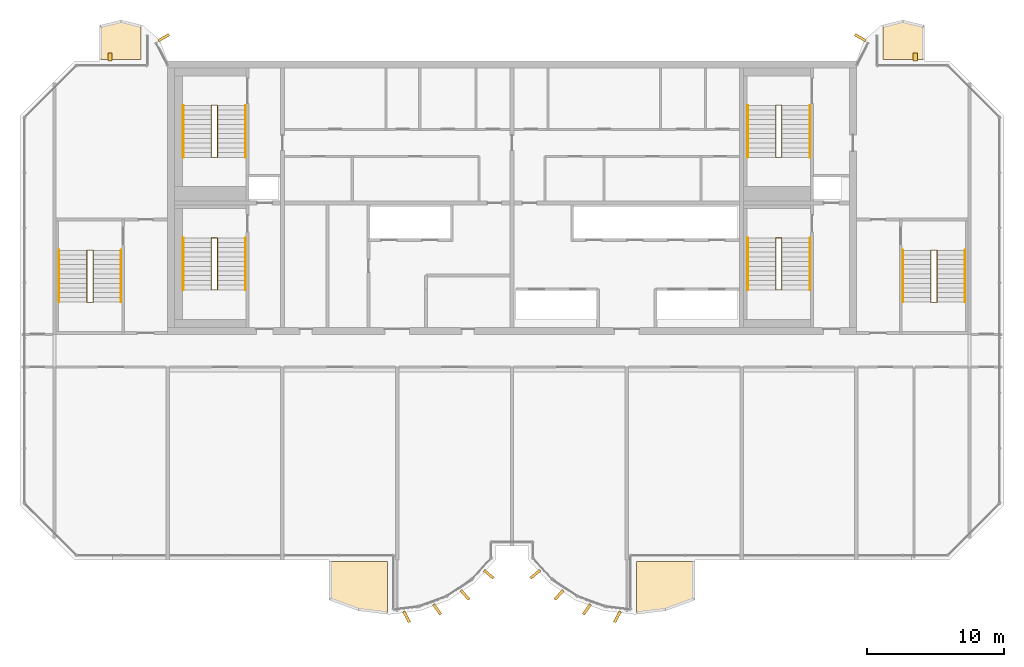
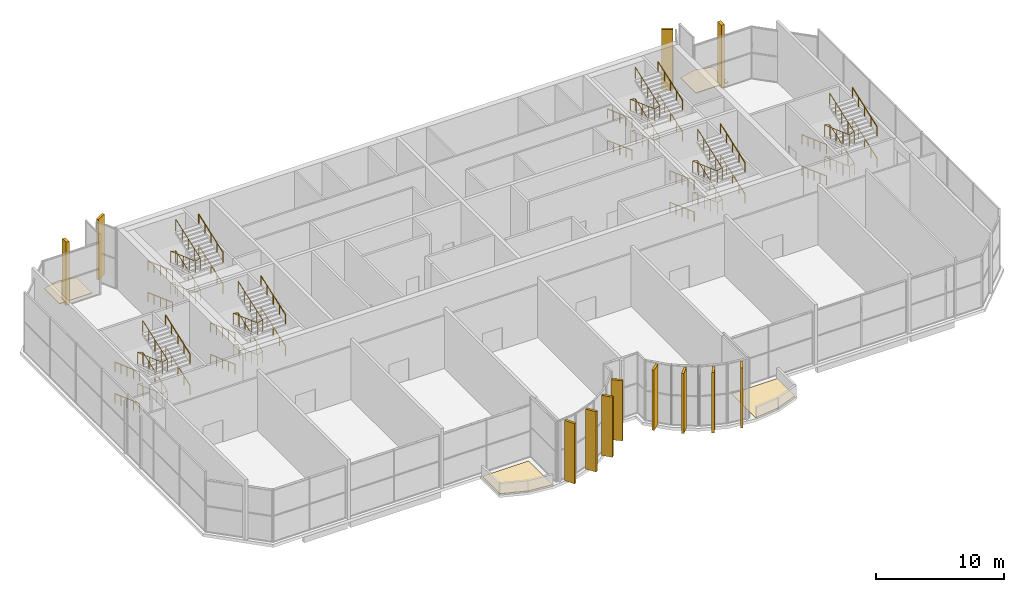
# One storey, part 17 of 17: 30 railings, 16 coverings.
"""IFC4 building model written with IfcOpenShell, lengths in metres."""

from ifc_helpers import new_model, si_unit, direction, frame, origin, origin_2d, place, context, subcontext, project, spatial, polyline, rectangle, circle, outline, extrude, source, transform, mapped, material, layer, layer_set, material_profile, profile_set, type_object, element, save


model = new_model("IFC4")

# Units and contexts
model_context = context("Model", 3, precision=1e-05, world=origin(), true_north=direction((0.0, 1.0)))
body_context = subcontext(model_context, "Body", "Model", "MODEL_VIEW")
ifc_project = project(units=[si_unit("LENGTHUNIT", "METRE"), si_unit("AREAUNIT", "SQUARE_METRE"), si_unit("VOLUMEUNIT", "CUBIC_METRE"), si_unit("PLANEANGLEUNIT", "RADIAN"), si_unit("MASSUNIT", "GRAM", prefix="KILO")], contexts=[model_context])

# Site, building, storey
site_placement = place(None, origin())
site = spatial("IfcSite", under=ifc_project, at=site_placement, CompositionType="ELEMENT")
building_placement = place(site_placement, origin())
building = spatial("IfcBuilding", under=site, at=building_placement, Name="Vanashikhar Sky Hotel", CompositionType="ELEMENT")
storey_placement = place(building_placement, frame((0.0, 0.0, 323.699951171875)))
storey = spatial("IfcBuildingStorey", under=building, at=storey_placement, Name="L77", CompositionType="ELEMENT", Elevation=323.699951171875)

# Coverings
ifc_material_1 = material(Name="Concrete M60 dark", Category="concrete")
ifc_material_profile_1 = material_profile(ifc_material_1, rectangle(XDim=0.89990234375, YDim=0.199951171875, at=origin_2d()))
ifc_profile_set_1 = profile_set([ifc_material_profile_1], Name="Crown fin 900 x 200")
covering_type_1 = type_object("IfcCoveringType", Name="Crown fin 900 x 200", PredefinedType="CLADDING", material=ifc_profile_set_1)
shared_shape_1 = source(origin(), body_context, "Body", "SweptSolid", [
    extrude(rectangle(XDim=0.89990234375, YDim=0.199951171875, at=origin_2d()), origin(), (0.0, 0.0, 1.0), 5.719970703125),
])
for number, where, z_axis, x_axis, name in (
    (1, (42.6923828125, 1.325439453125, 0.0), (0.0, 0.0, 1.0), (0.472366174743, -0.881402403536, 0.0), "Fin F1-1"),
    (2, (44.918701171875, 1.87548828125, 0.0), (0.0, 0.0, 1.0), (0.570211849726, -0.821497684983, 0.0), "Fin F1-2"),
    (3, (46.95849609375, 2.931396484375, 0.0), (0.0, 0.0, 1.0), (0.667052748205, -0.745010490606, 0.0), "Fin F1-3"),
    (4, (48.7021484375, 4.43798828125, 0.0), (0.0, 0.0, 1.0), (0.766190267282, -0.642613783172, 0.0), "Fin F1-4"),
    (5, (52.098876953125, 4.43798828125, 0.0), (0.0, 0.0, 1.0), (-0.766145402509, -0.642667271777, 0.0), "Fin F2-1"),
    (6, (53.841552734375, 2.93115234375, 0.0), (0.0, 0.0, 1.0), (-0.666948718615, -0.745103621477, 0.0), "Fin F2-2"),
    (7, (55.88134765625, 1.87548828125, 0.0), (0.0, 0.0, 1.0), (-0.570211849726, -0.821497684983, 0.0), "Fin F2-3"),
    (8, (58.107666015625, 1.325439453125, 0.0), (0.0, 0.0, 1.0), (-0.472366174743, -0.881402403536, 0.0), "Fin F2-4"),
    (9, (24.91650390625, 43.70458984375, 0.0), (0.0, 0.0, 1.0), (0.86183282997, 0.507192441964, 0.0), "Fin R1-1"),
    (10, (75.884521484375, 43.70556640625, 0.0), (0.0, 0.0, 1.0), (-0.861806272255, 0.50723756673, 0.0), "Fin R2-1"),
):
    element("IfcCovering", number, at=place(storey_placement, frame(where, z_axis=z_axis, x_axis=x_axis)), inside=storey, type_object=covering_type_1, Name=name, PredefinedType="CLADDING", context=body_context, shape_type="MappedRepresentation", body=[
        mapped(shared_shape_1, transform((0.0, 0.0, 0.0), scale=1.0)),
    ])
ifc_material_profile_2 = material_profile(ifc_material_1, rectangle(XDim=0.60009765625, YDim=0.300048828125, at=origin_2d()))
ifc_profile_set_2 = profile_set([ifc_material_profile_2], Name="Rear rib 600 x 300")
covering_type_2 = type_object("IfcCoveringType", Name="Rear rib 600 x 300", PredefinedType="CLADDING", material=ifc_profile_set_2)
shared_shape_2 = source(origin(), body_context, "Body", "SweptSolid", [
    extrude(rectangle(XDim=0.60009765625, YDim=0.300048828125, at=origin_2d()), origin(), (0.0, 0.0, 1.0), 6.0),
])
for number, where, z_axis, x_axis, name in (
    (11, (20.993896484375, 42.300048828125, -0.280029296875), (0.0, 0.0, 1.0), (0.0, 1.0, 0.0), "Rear rib"),
    (12, (79.906005859375, 42.300048828125, -0.280029296875), (0.0, 0.0, 1.0), (0.0, 1.0, 0.0), "Rear rib"),
):
    element("IfcCovering", number, at=place(storey_placement, frame(where, z_axis=z_axis, x_axis=x_axis)), inside=storey, type_object=covering_type_2, Name=name, PredefinedType="CLADDING", context=body_context, shape_type="MappedRepresentation", body=[
        mapped(shared_shape_2, transform((0.0, 0.0, 0.0), scale=1.0)),
    ])
ifc_material_2 = material(Name="Terracotta roofing tile", Category="masonry")
ifc_layer = layer(ifc_material_2, 0.06005859375)
ifc_layer_set = layer_set([ifc_layer], Name="Roof membrane and tile 60")
covering_type_3 = type_object("IfcCoveringType", Name="Roof membrane and tile 60", PredefinedType="ROOFING", material=ifc_layer_set)
shared_shape_3 = source(origin(), body_context, "Body", "SweptSolid", [
    extrude(outline(polyline([(20.333984375, 42.1220703125), (20.333984375, 44.513916015625), (21.800048828125, 44.87451171875), (23.26611328125, 44.513916015625), (23.26611328125, 42.1220703125), (20.333984375, 42.1220703125)])), origin(), (0.0, 0.0, 1.0), 0.06005859375),
])
covering_1_placement = place(storey_placement, frame((0.0, 0.0, -0.050048828125)))
element("IfcCovering", 13, at=covering_1_placement, inside=storey, type_object=covering_type_3, Name="Roof covering", PredefinedType="ROOFING", context=body_context, shape_type="MappedRepresentation", body=[
    mapped(shared_shape_3, transform((0.0, 0.0, 0.0), scale=1.0)),
])
shared_shape_4 = source(origin(), body_context, "Body", "SweptSolid", [
    extrude(outline(polyline([(41.278076171875, 1.63720703125), (39.17431640625, 1.887451171875), (37.138916015625, 2.642578125), (37.138916015625, 5.3779296875), (41.278076171875, 5.3779296875), (41.278076171875, 1.63720703125)])), origin(), (0.0, 0.0, 1.0), 0.06005859375),
])
covering_2_placement = place(storey_placement, frame((0.0, 0.0, -0.050048828125)))
element("IfcCovering", 14, at=covering_2_placement, inside=storey, type_object=covering_type_3, Name="Roof covering", PredefinedType="ROOFING", context=body_context, shape_type="MappedRepresentation", body=[
    mapped(shared_shape_4, transform((0.0, 0.0, 0.0), scale=1.0)),
])
shared_shape_5 = source(origin(), body_context, "Body", "SweptSolid", [
    extrude(outline(polyline([(63.660888671875, 5.3779296875), (63.660888671875, 2.642578125), (61.62548828125, 1.887451171875), (59.52197265625, 1.63720703125), (59.52197265625, 5.3779296875), (63.660888671875, 5.3779296875)])), origin(), (0.0, 0.0, 1.0), 0.06005859375),
])
covering_3_placement = place(storey_placement, frame((0.0, 0.0, -0.050048828125)))
element("IfcCovering", 15, at=covering_3_placement, inside=storey, type_object=covering_type_3, Name="Roof covering", PredefinedType="ROOFING", context=body_context, shape_type="MappedRepresentation", body=[
    mapped(shared_shape_5, transform((0.0, 0.0, 0.0), scale=1.0)),
])
shared_shape_6 = source(origin(), body_context, "Body", "SweptSolid", [
    extrude(outline(polyline([(77.533935546875, 44.513916015625), (79.0, 44.87451171875), (80.466064453125, 44.513916015625), (80.466064453125, 42.1220703125), (77.533935546875, 42.1220703125), (77.533935546875, 44.513916015625)])), origin(), (0.0, 0.0, 1.0), 0.06005859375),
])
covering_4_placement = place(storey_placement, frame((0.0, 0.0, -0.050048828125)))
element("IfcCovering", 16, at=covering_4_placement, inside=storey, type_object=covering_type_3, Name="Roof covering", PredefinedType="ROOFING", context=body_context, shape_type="MappedRepresentation", body=[
    mapped(shared_shape_6, transform((0.0, 0.0, 0.0), scale=1.0)),
])

# Railings
ifc_material_3 = material(Name="Steel S355", Category="steel")
railing_type_1 = type_object("IfcRailingType", Name="Stair handrail 900", PredefinedType="HANDRAIL", material=ifc_material_3)
shared_shape_7 = source(origin(), body_context, "Body", "SweptSolid", [
    extrude(circle(Radius=0.02392578125, at=origin_2d()), frame((0.0, 0.0, 0.8759765625), z_axis=(0.0, 0.940335516113, 0.340248610777), x_axis=(-1.0, 0.0, 0.0)), (0.0, 0.0, 1.0), 4.041259765625),
    extrude(circle(Radius=0.02099609375, at=origin_2d()), origin(), (0.0, 0.0, 1.0), 0.851806640625),
    extrude(circle(Radius=0.02099609375, at=origin_2d()), frame((0.0, 0.949951171875, 0.34375)), (0.0, 0.0, 1.0), 0.851806640625),
    extrude(circle(Radius=0.02099609375, at=origin_2d()), frame((0.0, 1.89990234375, 0.6875)), (0.0, 0.0, 1.0), 0.851806640625),
    extrude(circle(Radius=0.02099609375, at=origin_2d()), frame((0.0, 2.85009765625, 1.03125)), (0.0, 0.0, 1.0), 0.851806640625),
    extrude(circle(Radius=0.02099609375, at=origin_2d()), frame((0.0, 3.800048828125, 1.375)), (0.0, 0.0, 1.0), 0.851806640625),
])
for number, where, name in (
    (17, (30.89990234375, 25.25, 1.625), "Exit stair 1 handrail"),
    (18, (30.89990234375, 25.25, 4.625), "Exit stair 1 handrail"),
    (19, (72.199951171875, 25.25, 1.625), "Exit stair 2 handrail"),
    (20, (72.199951171875, 25.25, 4.625), "Exit stair 2 handrail"),
    (21, (30.89990234375, 34.949951171875, 1.625), "Exit stair 5 handrail"),
    (22, (30.89990234375, 34.949951171875, 4.625), "Exit stair 5 handrail"),
    (23, (72.199951171875, 34.949951171875, 1.625), "Exit stair 6 handrail"),
    (24, (72.199951171875, 34.949951171875, 4.625), "Exit stair 6 handrail"),
):
    element("IfcRailing", number, at=place(storey_placement, frame(where)), inside=storey, type_object=railing_type_1, Name=name, PredefinedType="HANDRAIL", context=body_context, shape_type="MappedRepresentation", body=[
        mapped(shared_shape_7, transform((0.0, 0.0, 0.0), scale=1.0)),
    ])
shared_shape_8 = source(origin(), body_context, "Body", "SweptSolid", [
    extrude(circle(Radius=0.02392578125, at=origin_2d()), frame((0.0, 0.0, 0.8759765625), z_axis=(0.0, -0.940335516113, 0.340248610777), x_axis=(1.0, 0.0, 0.0)), (0.0, 0.0, 1.0), 4.041259765625),
    extrude(circle(Radius=0.02099609375, at=origin_2d()), origin(), (0.0, 0.0, 1.0), 0.851806640625),
    extrude(circle(Radius=0.02099609375, at=origin_2d()), frame((0.0, -0.949951171875, 0.34375)), (0.0, 0.0, 1.0), 0.851806640625),
    extrude(circle(Radius=0.02099609375, at=origin_2d()), frame((0.0, -1.89990234375, 0.6875)), (0.0, 0.0, 1.0), 0.851806640625),
    extrude(circle(Radius=0.02099609375, at=origin_2d()), frame((0.0, -2.85009765625, 1.03125)), (0.0, 0.0, 1.0), 0.851806640625),
    extrude(circle(Radius=0.02099609375, at=origin_2d()), frame((0.0, -3.800048828125, 1.375)), (0.0, 0.0, 1.0), 0.851806640625),
])
for number, where, name in (
    (25, (26.35009765625, 29.050048828125, 0.125), "Exit stair 1 handrail"),
    (26, (26.35009765625, 29.050048828125, 3.125), "Exit stair 1 handrail"),
    (27, (67.64990234375, 29.050048828125, 0.125), "Exit stair 2 handrail"),
    (28, (67.64990234375, 29.050048828125, 3.125), "Exit stair 2 handrail"),
    (29, (26.35009765625, 38.75, 0.125), "Exit stair 5 handrail"),
    (30, (26.35009765625, 38.75, 3.125), "Exit stair 5 handrail"),
    (31, (67.64990234375, 38.75, 0.125), "Exit stair 6 handrail"),
    (32, (67.64990234375, 38.75, 3.125), "Exit stair 6 handrail"),
):
    element("IfcRailing", number, at=place(storey_placement, frame(where)), inside=storey, type_object=railing_type_1, Name=name, PredefinedType="HANDRAIL", context=body_context, shape_type="MappedRepresentation", body=[
        mapped(shared_shape_8, transform((0.0, 0.0, 0.0), scale=1.0)),
    ])
railing_type_2 = type_object("IfcRailingType", Name="Stair guard 1100", PredefinedType="GUARDRAIL", material=ifc_material_3)
shared_shape_9 = source(origin(), body_context, "Body", "SweptSolid", [
    extrude(circle(Radius=0.02392578125, at=origin_2d()), frame((0.0, 0.0, 1.076171875), z_axis=(-0.963547848091, 0.0, 0.267536061943), x_axis=(0.0, -1.0, 0.0)), (0.0, 0.0, 1.0), 0.46728515625),
    extrude(circle(Radius=0.02392578125, at=origin_2d()), frame((-0.4501953125, 0.0, 1.201171875), z_axis=(0.0, -0.940335516113, 0.340248610777), x_axis=(1.0, 0.0, 0.0)), (0.0, 0.0, 1.0), 4.041259765625),
    extrude(circle(Radius=0.02392578125, at=origin_2d()), frame((-0.4501953125, -3.800048828125, 2.576171875), z_axis=(0.963547848091, 0.0, 0.267536061943), x_axis=(0.0, 1.0, 0.0)), (0.0, 0.0, 1.0), 0.46728515625),
    extrude(circle(Radius=0.02392578125, at=origin_2d()), frame((0.0, -3.800048828125, 2.701171875), z_axis=(0.0, 0.940335516113, 0.340248610777), x_axis=(-1.0, 0.0, 0.0)), (0.0, 0.0, 1.0), 4.041259765625),
    extrude(circle(Radius=0.02392578125, at=origin_2d()), frame((0.0, 0.0, 4.076171875), z_axis=(-0.963547848091, 0.0, 0.267536061943), x_axis=(0.0, -1.0, 0.0)), (0.0, 0.0, 1.0), 0.46728515625),
    extrude(circle(Radius=0.02392578125, at=origin_2d()), frame((-0.4501953125, 0.0, 4.201171875), z_axis=(0.0, -0.940335516113, 0.340248610777), x_axis=(1.0, 0.0, 0.0)), (0.0, 0.0, 1.0), 4.041259765625),
    extrude(circle(Radius=0.02392578125, at=origin_2d()), frame((-0.4501953125, -3.800048828125, 5.576171875), z_axis=(0.963547848091, 0.0, 0.267536061943), x_axis=(0.0, 1.0, 0.0)), (0.0, 0.0, 1.0), 0.46728515625),
    extrude(circle(Radius=0.02392578125, at=origin_2d()), frame((0.0, -3.800048828125, 5.701171875), z_axis=(0.0, 0.940335516113, 0.340248610777), x_axis=(-1.0, 0.0, 0.0)), (0.0, 0.0, 1.0), 4.041259765625),
    extrude(circle(Radius=0.02099609375, at=origin_2d()), origin(), (0.0, 0.0, 1.0), 1.052001953125),
    extrude(circle(Radius=0.02099609375, at=origin_2d()), frame((-0.4501953125, 0.0, 0.125)), (0.0, 0.0, 1.0), 1.052001953125),
    extrude(circle(Radius=0.02099609375, at=origin_2d()), frame((-0.4501953125, -0.949951171875, 0.46875)), (0.0, 0.0, 1.0), 1.052001953125),
    extrude(circle(Radius=0.02099609375, at=origin_2d()), frame((-0.4501953125, -1.89990234375, 0.8125)), (0.0, 0.0, 1.0), 1.052001953125),
    extrude(circle(Radius=0.02099609375, at=origin_2d()), frame((-0.4501953125, -2.85009765625, 1.15625)), (0.0, 0.0, 1.0), 1.052001953125),
    extrude(circle(Radius=0.02099609375, at=origin_2d()), frame((-0.4501953125, -3.800048828125, 1.5)), (0.0, 0.0, 1.0), 1.052001953125),
    extrude(circle(Radius=0.02099609375, at=origin_2d()), frame((0.0, -3.800048828125, 1.625)), (0.0, 0.0, 1.0), 1.052001953125),
    extrude(circle(Radius=0.02099609375, at=origin_2d()), frame((0.0, -2.85009765625, 1.96875)), (0.0, 0.0, 1.0), 1.052001953125),
    extrude(circle(Radius=0.02099609375, at=origin_2d()), frame((0.0, -1.89990234375, 2.3125)), (0.0, 0.0, 1.0), 1.052001953125),
    extrude(circle(Radius=0.02099609375, at=origin_2d()), frame((0.0, -0.949951171875, 2.65625)), (0.0, 0.0, 1.0), 1.052001953125),
    extrude(circle(Radius=0.02099609375, at=origin_2d()), frame((0.0, 0.0, 3.0)), (0.0, 0.0, 1.0), 1.052001953125),
    extrude(circle(Radius=0.02099609375, at=origin_2d()), frame((-0.4501953125, 0.0, 3.125)), (0.0, 0.0, 1.0), 1.052001953125),
    extrude(circle(Radius=0.02099609375, at=origin_2d()), frame((-0.4501953125, -0.949951171875, 3.46875)), (0.0, 0.0, 1.0), 1.052001953125),
    extrude(circle(Radius=0.02099609375, at=origin_2d()), frame((-0.4501953125, -1.89990234375, 3.8125)), (0.0, 0.0, 1.0), 1.052001953125),
    extrude(circle(Radius=0.02099609375, at=origin_2d()), frame((-0.4501953125, -2.85009765625, 4.15625)), (0.0, 0.0, 1.0), 1.052001953125),
    extrude(circle(Radius=0.02099609375, at=origin_2d()), frame((-0.4501953125, -3.800048828125, 4.5)), (0.0, 0.0, 1.0), 1.052001953125),
    extrude(circle(Radius=0.02099609375, at=origin_2d()), frame((0.0, -3.800048828125, 4.625)), (0.0, 0.0, 1.0), 1.052001953125),
    extrude(circle(Radius=0.02099609375, at=origin_2d()), frame((0.0, -2.85009765625, 4.96875)), (0.0, 0.0, 1.0), 1.052001953125),
    extrude(circle(Radius=0.02099609375, at=origin_2d()), frame((0.0, -1.89990234375, 5.3125)), (0.0, 0.0, 1.0), 1.052001953125),
    extrude(circle(Radius=0.02099609375, at=origin_2d()), frame((0.0, -0.949951171875, 5.65625)), (0.0, 0.0, 1.0), 1.052001953125),
    extrude(circle(Radius=0.02099609375, at=origin_2d()), frame((0.0, 0.0, 6.0)), (0.0, 0.0, 1.0), 1.052001953125),
])
for number, where, name in (
    (33, (28.85009765625, 29.050048828125, 0.0), "Exit stair 1 guard"),
    (34, (28.85009765625, 38.75, 0.0), "Exit stair 5 guard"),
):
    element("IfcRailing", number, at=place(storey_placement, frame(where)), inside=storey, type_object=railing_type_2, Name=name, PredefinedType="GUARDRAIL", context=body_context, shape_type="MappedRepresentation", body=[
        mapped(shared_shape_9, transform((0.0, 0.0, 0.0), scale=1.0)),
    ])
shared_shape_10 = source(origin(), body_context, "Body", "SweptSolid", [
    extrude(circle(Radius=0.02392578125, at=origin_2d()), frame((0.0, 0.0, 1.076171875), z_axis=(-0.963510419359, 0.0, 0.267670827299), x_axis=(0.0, -1.0, 0.0)), (0.0, 0.0, 1.0), 0.467041015625),
    extrude(circle(Radius=0.02392578125, at=origin_2d()), frame((-0.449951171875, 0.0, 1.201171875), z_axis=(0.0, -0.940335516113, 0.340248610777), x_axis=(1.0, 0.0, 0.0)), (0.0, 0.0, 1.0), 4.041259765625),
    extrude(circle(Radius=0.02392578125, at=origin_2d()), frame((-0.449951171875, -3.800048828125, 2.576171875), z_axis=(0.963510419359, 0.0, 0.267670827299), x_axis=(0.0, 1.0, 0.0)), (0.0, 0.0, 1.0), 0.467041015625),
    extrude(circle(Radius=0.02392578125, at=origin_2d()), frame((0.0, -3.800048828125, 2.701171875), z_axis=(0.0, 0.940335516113, 0.340248610777), x_axis=(-1.0, 0.0, 0.0)), (0.0, 0.0, 1.0), 4.041259765625),
    extrude(circle(Radius=0.02392578125, at=origin_2d()), frame((0.0, 0.0, 4.076171875), z_axis=(-0.963510419359, 0.0, 0.267670827299), x_axis=(0.0, -1.0, 0.0)), (0.0, 0.0, 1.0), 0.467041015625),
    extrude(circle(Radius=0.02392578125, at=origin_2d()), frame((-0.449951171875, 0.0, 4.201171875), z_axis=(0.0, -0.940335516113, 0.340248610777), x_axis=(1.0, 0.0, 0.0)), (0.0, 0.0, 1.0), 4.041259765625),
    extrude(circle(Radius=0.02392578125, at=origin_2d()), frame((-0.449951171875, -3.800048828125, 5.576171875), z_axis=(0.963510419359, 0.0, 0.267670827299), x_axis=(0.0, 1.0, 0.0)), (0.0, 0.0, 1.0), 0.467041015625),
    extrude(circle(Radius=0.02392578125, at=origin_2d()), frame((0.0, -3.800048828125, 5.701171875), z_axis=(0.0, 0.940335516113, 0.340248610777), x_axis=(-1.0, 0.0, 0.0)), (0.0, 0.0, 1.0), 4.041259765625),
    extrude(circle(Radius=0.02099609375, at=origin_2d()), origin(), (0.0, 0.0, 1.0), 1.052001953125),
    extrude(circle(Radius=0.02099609375, at=origin_2d()), frame((-0.449951171875, 0.0, 0.125)), (0.0, 0.0, 1.0), 1.052001953125),
    extrude(circle(Radius=0.02099609375, at=origin_2d()), frame((-0.449951171875, -0.949951171875, 0.46875)), (0.0, 0.0, 1.0), 1.052001953125),
    extrude(circle(Radius=0.02099609375, at=origin_2d()), frame((-0.449951171875, -1.89990234375, 0.8125)), (0.0, 0.0, 1.0), 1.052001953125),
    extrude(circle(Radius=0.02099609375, at=origin_2d()), frame((-0.449951171875, -2.85009765625, 1.15625)), (0.0, 0.0, 1.0), 1.052001953125),
    extrude(circle(Radius=0.02099609375, at=origin_2d()), frame((-0.449951171875, -3.800048828125, 1.5)), (0.0, 0.0, 1.0), 1.052001953125),
    extrude(circle(Radius=0.02099609375, at=origin_2d()), frame((0.0, -3.800048828125, 1.625)), (0.0, 0.0, 1.0), 1.052001953125),
    extrude(circle(Radius=0.02099609375, at=origin_2d()), frame((0.0, -2.85009765625, 1.96875)), (0.0, 0.0, 1.0), 1.052001953125),
    extrude(circle(Radius=0.02099609375, at=origin_2d()), frame((0.0, -1.89990234375, 2.3125)), (0.0, 0.0, 1.0), 1.052001953125),
    extrude(circle(Radius=0.02099609375, at=origin_2d()), frame((0.0, -0.949951171875, 2.65625)), (0.0, 0.0, 1.0), 1.052001953125),
    extrude(circle(Radius=0.02099609375, at=origin_2d()), frame((0.0, 0.0, 3.0)), (0.0, 0.0, 1.0), 1.052001953125),
    extrude(circle(Radius=0.02099609375, at=origin_2d()), frame((-0.449951171875, 0.0, 3.125)), (0.0, 0.0, 1.0), 1.052001953125),
    extrude(circle(Radius=0.02099609375, at=origin_2d()), frame((-0.449951171875, -0.949951171875, 3.46875)), (0.0, 0.0, 1.0), 1.052001953125),
    extrude(circle(Radius=0.02099609375, at=origin_2d()), frame((-0.449951171875, -1.89990234375, 3.8125)), (0.0, 0.0, 1.0), 1.052001953125),
    extrude(circle(Radius=0.02099609375, at=origin_2d()), frame((-0.449951171875, -2.85009765625, 4.15625)), (0.0, 0.0, 1.0), 1.052001953125),
    extrude(circle(Radius=0.02099609375, at=origin_2d()), frame((-0.449951171875, -3.800048828125, 4.5)), (0.0, 0.0, 1.0), 1.052001953125),
    extrude(circle(Radius=0.02099609375, at=origin_2d()), frame((0.0, -3.800048828125, 4.625)), (0.0, 0.0, 1.0), 1.052001953125),
    extrude(circle(Radius=0.02099609375, at=origin_2d()), frame((0.0, -2.85009765625, 4.96875)), (0.0, 0.0, 1.0), 1.052001953125),
    extrude(circle(Radius=0.02099609375, at=origin_2d()), frame((0.0, -1.89990234375, 5.3125)), (0.0, 0.0, 1.0), 1.052001953125),
    extrude(circle(Radius=0.02099609375, at=origin_2d()), frame((0.0, -0.949951171875, 5.65625)), (0.0, 0.0, 1.0), 1.052001953125),
    extrude(circle(Radius=0.02099609375, at=origin_2d()), frame((0.0, 0.0, 6.0)), (0.0, 0.0, 1.0), 1.052001953125),
])
for number, where, name in (
    (35, (70.14990234375, 29.050048828125, 0.0), "Exit stair 2 guard"),
    (36, (70.14990234375, 38.75, 0.0), "Exit stair 6 guard"),
):
    element("IfcRailing", number, at=place(storey_placement, frame(where)), inside=storey, type_object=railing_type_2, Name=name, PredefinedType="GUARDRAIL", context=body_context, shape_type="MappedRepresentation", body=[
        mapped(shared_shape_10, transform((0.0, 0.0, 0.0), scale=1.0)),
    ])
shared_shape_11 = source(origin(), body_context, "Body", "SweptSolid", [
    extrude(circle(Radius=0.02392578125, at=origin_2d()), frame((0.0, 0.0, 0.8759765625), z_axis=(0.0, 0.940328521504, 0.340267940961), x_axis=(-1.0, 0.0, 0.0)), (0.0, 0.0, 1.0), 4.041015625),
    extrude(circle(Radius=0.02099609375, at=origin_2d()), origin(), (0.0, 0.0, 1.0), 0.851806640625),
    extrude(circle(Radius=0.02099609375, at=origin_2d()), frame((0.0, 0.949951171875, 0.34375)), (0.0, 0.0, 1.0), 0.851806640625),
    extrude(circle(Radius=0.02099609375, at=origin_2d()), frame((0.0, 1.89990234375, 0.6875)), (0.0, 0.0, 1.0), 0.851806640625),
    extrude(circle(Radius=0.02099609375, at=origin_2d()), frame((0.0, 2.849853515625, 1.03125)), (0.0, 0.0, 1.0), 0.851806640625),
    extrude(circle(Radius=0.02099609375, at=origin_2d()), frame((0.0, 3.7998046875, 1.375)), (0.0, 0.0, 1.0), 0.851806640625),
])
for number, where, name in (
    (37, (21.800048828125, 24.35009765625, 1.625), "Exit stair 3 handrail"),
    (38, (21.800048828125, 24.35009765625, 4.625), "Exit stair 3 handrail"),
    (39, (83.550048828125, 24.35009765625, 1.625), "Exit stair 4 handrail"),
    (40, (83.550048828125, 24.35009765625, 4.625), "Exit stair 4 handrail"),
):
    element("IfcRailing", number, at=place(storey_placement, frame(where)), inside=storey, type_object=railing_type_1, Name=name, PredefinedType="HANDRAIL", context=body_context, shape_type="MappedRepresentation", body=[
        mapped(shared_shape_11, transform((0.0, 0.0, 0.0), scale=1.0)),
    ])
shared_shape_12 = source(origin(), body_context, "Body", "SweptSolid", [
    extrude(circle(Radius=0.02392578125, at=origin_2d()), frame((0.0, 0.0, 0.8759765625), z_axis=(0.0, -0.940328521504, 0.340267940961), x_axis=(1.0, 0.0, 0.0)), (0.0, 0.0, 1.0), 4.041015625),
    extrude(circle(Radius=0.02099609375, at=origin_2d()), origin(), (0.0, 0.0, 1.0), 0.851806640625),
    extrude(circle(Radius=0.02099609375, at=origin_2d()), frame((0.0, -0.949951171875, 0.34375)), (0.0, 0.0, 1.0), 0.851806640625),
    extrude(circle(Radius=0.02099609375, at=origin_2d()), frame((0.0, -1.89990234375, 0.6875)), (0.0, 0.0, 1.0), 0.851806640625),
    extrude(circle(Radius=0.02099609375, at=origin_2d()), frame((0.0, -2.849853515625, 1.03125)), (0.0, 0.0, 1.0), 0.851806640625),
    extrude(circle(Radius=0.02099609375, at=origin_2d()), frame((0.0, -3.7998046875, 1.375)), (0.0, 0.0, 1.0), 0.851806640625),
])
for number, where, name in (
    (41, (17.25, 28.14990234375, 0.125), "Exit stair 3 handrail"),
    (42, (17.25, 28.14990234375, 3.125), "Exit stair 3 handrail"),
    (43, (79.0, 28.14990234375, 0.125), "Exit stair 4 handrail"),
    (44, (79.0, 28.14990234375, 3.125), "Exit stair 4 handrail"),
):
    element("IfcRailing", number, at=place(storey_placement, frame(where)), inside=storey, type_object=railing_type_1, Name=name, PredefinedType="HANDRAIL", context=body_context, shape_type="MappedRepresentation", body=[
        mapped(shared_shape_12, transform((0.0, 0.0, 0.0), scale=1.0)),
    ])
shared_shape_13 = source(origin(), body_context, "Body", "SweptSolid", [
    extrude(circle(Radius=0.02392578125, at=origin_2d()), frame((0.0, 0.0, 1.076171875), z_axis=(-0.963510419359, 0.0, 0.267670827299), x_axis=(0.0, -1.0, 0.0)), (0.0, 0.0, 1.0), 0.467041015625),
    extrude(circle(Radius=0.02392578125, at=origin_2d()), frame((-0.449951171875, 0.0, 1.201171875), z_axis=(0.0, -0.940328521504, 0.340267940961), x_axis=(1.0, 0.0, 0.0)), (0.0, 0.0, 1.0), 4.041015625),
    extrude(circle(Radius=0.02392578125, at=origin_2d()), frame((-0.449951171875, -3.7998046875, 2.576171875), z_axis=(0.963510419359, 0.0, 0.267670827299), x_axis=(0.0, 1.0, 0.0)), (0.0, 0.0, 1.0), 0.467041015625),
    extrude(circle(Radius=0.02392578125, at=origin_2d()), frame((0.0, -3.7998046875, 2.701171875), z_axis=(0.0, 0.940328521504, 0.340267940961), x_axis=(-1.0, 0.0, 0.0)), (0.0, 0.0, 1.0), 4.041015625),
    extrude(circle(Radius=0.02392578125, at=origin_2d()), frame((0.0, 0.0, 4.076171875), z_axis=(-0.963510419359, 0.0, 0.267670827299), x_axis=(0.0, -1.0, 0.0)), (0.0, 0.0, 1.0), 0.467041015625),
    extrude(circle(Radius=0.02392578125, at=origin_2d()), frame((-0.449951171875, 0.0, 4.201171875), z_axis=(0.0, -0.940328521504, 0.340267940961), x_axis=(1.0, 0.0, 0.0)), (0.0, 0.0, 1.0), 4.041015625),
    extrude(circle(Radius=0.02392578125, at=origin_2d()), frame((-0.449951171875, -3.7998046875, 5.576171875), z_axis=(0.963510419359, 0.0, 0.267670827299), x_axis=(0.0, 1.0, 0.0)), (0.0, 0.0, 1.0), 0.467041015625),
    extrude(circle(Radius=0.02392578125, at=origin_2d()), frame((0.0, -3.7998046875, 5.701171875), z_axis=(0.0, 0.940328521504, 0.340267940961), x_axis=(-1.0, 0.0, 0.0)), (0.0, 0.0, 1.0), 4.041015625),
    extrude(circle(Radius=0.02099609375, at=origin_2d()), origin(), (0.0, 0.0, 1.0), 1.052001953125),
    extrude(circle(Radius=0.02099609375, at=origin_2d()), frame((-0.449951171875, 0.0, 0.125)), (0.0, 0.0, 1.0), 1.052001953125),
    extrude(circle(Radius=0.02099609375, at=origin_2d()), frame((-0.449951171875, -0.949951171875, 0.46875)), (0.0, 0.0, 1.0), 1.052001953125),
    extrude(circle(Radius=0.02099609375, at=origin_2d()), frame((-0.449951171875, -1.89990234375, 0.8125)), (0.0, 0.0, 1.0), 1.052001953125),
    extrude(circle(Radius=0.02099609375, at=origin_2d()), frame((-0.449951171875, -2.849853515625, 1.15625)), (0.0, 0.0, 1.0), 1.052001953125),
    extrude(circle(Radius=0.02099609375, at=origin_2d()), frame((-0.449951171875, -3.7998046875, 1.5)), (0.0, 0.0, 1.0), 1.052001953125),
    extrude(circle(Radius=0.02099609375, at=origin_2d()), frame((0.0, -3.7998046875, 1.625)), (0.0, 0.0, 1.0), 1.052001953125),
    extrude(circle(Radius=0.02099609375, at=origin_2d()), frame((0.0, -2.849853515625, 1.96875)), (0.0, 0.0, 1.0), 1.052001953125),
    extrude(circle(Radius=0.02099609375, at=origin_2d()), frame((0.0, -1.89990234375, 2.3125)), (0.0, 0.0, 1.0), 1.052001953125),
    extrude(circle(Radius=0.02099609375, at=origin_2d()), frame((0.0, -0.949951171875, 2.65625)), (0.0, 0.0, 1.0), 1.052001953125),
    extrude(circle(Radius=0.02099609375, at=origin_2d()), frame((0.0, 0.0, 3.0)), (0.0, 0.0, 1.0), 1.052001953125),
    extrude(circle(Radius=0.02099609375, at=origin_2d()), frame((-0.449951171875, 0.0, 3.125)), (0.0, 0.0, 1.0), 1.052001953125),
    extrude(circle(Radius=0.02099609375, at=origin_2d()), frame((-0.449951171875, -0.949951171875, 3.46875)), (0.0, 0.0, 1.0), 1.052001953125),
    extrude(circle(Radius=0.02099609375, at=origin_2d()), frame((-0.449951171875, -1.89990234375, 3.8125)), (0.0, 0.0, 1.0), 1.052001953125),
    extrude(circle(Radius=0.02099609375, at=origin_2d()), frame((-0.449951171875, -2.849853515625, 4.15625)), (0.0, 0.0, 1.0), 1.052001953125),
    extrude(circle(Radius=0.02099609375, at=origin_2d()), frame((-0.449951171875, -3.7998046875, 4.5)), (0.0, 0.0, 1.0), 1.052001953125),
    extrude(circle(Radius=0.02099609375, at=origin_2d()), frame((0.0, -3.7998046875, 4.625)), (0.0, 0.0, 1.0), 1.052001953125),
    extrude(circle(Radius=0.02099609375, at=origin_2d()), frame((0.0, -2.849853515625, 4.96875)), (0.0, 0.0, 1.0), 1.052001953125),
    extrude(circle(Radius=0.02099609375, at=origin_2d()), frame((0.0, -1.89990234375, 5.3125)), (0.0, 0.0, 1.0), 1.052001953125),
    extrude(circle(Radius=0.02099609375, at=origin_2d()), frame((0.0, -0.949951171875, 5.65625)), (0.0, 0.0, 1.0), 1.052001953125),
    extrude(circle(Radius=0.02099609375, at=origin_2d()), frame((0.0, 0.0, 6.0)), (0.0, 0.0, 1.0), 1.052001953125),
])
for number, where, name in (
    (45, (19.75, 28.14990234375, 0.0), "Exit stair 3 guard"),
    (46, (81.5, 28.14990234375, 0.0), "Exit stair 4 guard"),
):
    element("IfcRailing", number, at=place(storey_placement, frame(where)), inside=storey, type_object=railing_type_2, Name=name, PredefinedType="GUARDRAIL", context=body_context, shape_type="MappedRepresentation", body=[
        mapped(shared_shape_13, transform((0.0, 0.0, 0.0), scale=1.0)),
    ])

save(model, "model.ifc")
